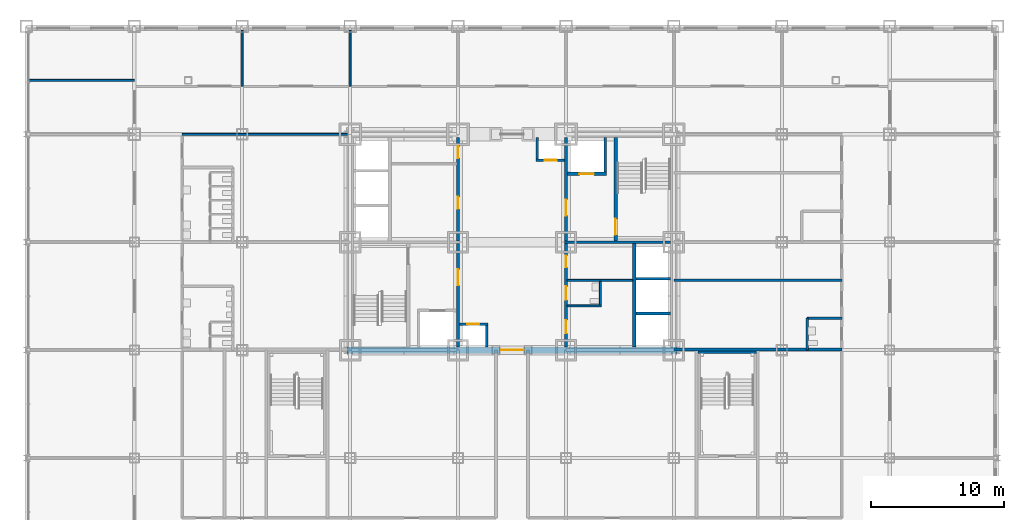
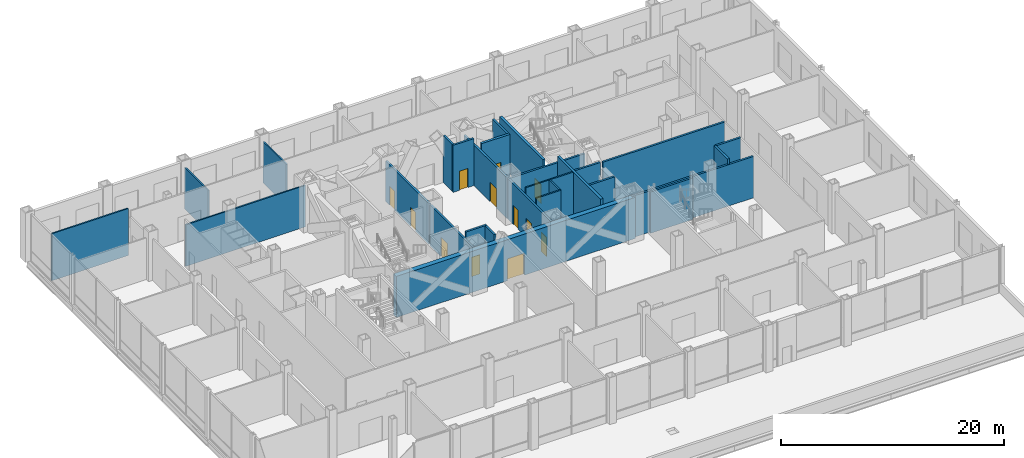
# One storey, part 23 of 29: 28 walls, 12 doors, 12 openings.
"""IFC4 building model written with IfcOpenShell, lengths in metres."""

from ifc_helpers import new_model, si_unit, direction, frame, frame_2d, origin, place, context, subcontext, project, spatial, rectangle, extrude, material, layer, layer_set, type_object, element, fill, save


model = new_model("IFC4")

# Units and contexts
model_context = context("Model", 3, precision=1e-05, world=origin(), true_north=direction((0.0, 1.0)))
body_context = subcontext(model_context, "Body", "Model", "MODEL_VIEW")
ifc_project = project(units=[si_unit("LENGTHUNIT", "METRE"), si_unit("AREAUNIT", "SQUARE_METRE"), si_unit("VOLUMEUNIT", "CUBIC_METRE"), si_unit("PLANEANGLEUNIT", "RADIAN"), si_unit("MASSUNIT", "GRAM", prefix="KILO")], contexts=[model_context])

# Site, building, storey
site_placement = place(None, origin())
site = spatial("IfcSite", under=ifc_project, at=site_placement, CompositionType="ELEMENT")
building_placement = place(site_placement, origin())
building = spatial("IfcBuilding", under=site, at=building_placement, Name="Kopane Lantern Tower", CompositionType="ELEMENT")
storey_placement = place(building_placement, frame((0.0, 0.0, 11.39990234375)))
storey = spatial("IfcBuildingStorey", under=building, at=storey_placement, Name="L02", CompositionType="ELEMENT", Elevation=11.39990234375)

# Wall, opening, door
ifc_material_1 = material(Name="Gypsum shaft wall EI 120", Category="gypsum")
ifc_layer_1 = layer(ifc_material_1, 0.5)
ifc_layer_set_1 = layer_set([ifc_layer_1], Name="CORE PERIMETER WALL 500 EI 120")
wall_type_1 = type_object("IfcWallType", Name="CORE PERIMETER WALL 500 EI 120", PredefinedType="SOLIDWALL", material=ifc_layer_set_1)
wall_1_placement = place(storey_placement, frame((15.949951171875, 24.300048828125, 0.0), z_axis=(0.0, 0.0, 1.0), x_axis=(1.0, 0.0, 0.0)))
wall_1 = element("IfcWall", 1, at=wall_1_placement, inside=storey, type_object=wall_type_1, Name="Core shaft wall L02 PS", PredefinedType="SOLIDWALL", context=body_context, shape_type="SweptSolid", body=[
    extrude(rectangle(XDim=24.800048828125, YDim=0.5, at=frame_2d((12.39990234375, 0.0))), origin(), (0.0, 0.0, 1.0), 4.5),
])
opening_1_placement = place(wall_1_placement, frame((11.5, 0.0, 0.0)))
opening_1 = element("IfcOpeningElement", 2, at=opening_1_placement, cuts=wall_1, Name="Opening 02.CE-S", PredefinedType="OPENING", context=body_context, shape_type="SweptSolid", body=[
    extrude(rectangle(XDim=1.800048828125, YDim=2.39990234375, at=frame_2d((0.89990234375, 1.199951171875))), frame((0.0, 0.260009765625, 0.0), z_axis=(0.0, -1.0, 0.0), x_axis=(1.0, 0.0, 0.0)), (0.0, 0.0, 1.0), 0.52001953125),
])
ifc_material_2 = material(Name="Steel door set", Category="steel")
door_type_1 = type_object("IfcDoorType", Name="CORE ENTRY DOOR 1800x2400 FD60S", OperationType="DOUBLE_DOOR_SINGLE_SWING", PredefinedType="DOOR", material=ifc_material_2)
door_1_placement = place(opening_1_placement, origin())
door_1 = element("IfcDoor", 3, at=door_1_placement, inside=storey, type_object=door_type_1, Name="Core entry door L02 south", OperationType="DOUBLE_DOOR_SINGLE_SWING", OverallHeight=2.39990234375, OverallWidth=1.800048828125, PredefinedType="DOOR", context=body_context, shape_type="SweptSolid", body=[
    extrude(rectangle(XDim=1.800048828125, YDim=2.39990234375, at=frame_2d((0.89990234375, 1.199951171875))), frame((0.0, 0.02490234375, 0.0), z_axis=(0.0, -1.0, 0.0), x_axis=(1.0, 0.0, 0.0)), (0.0, 0.0, 1.0), 0.050048828125),
])
fill(opening_1, door_1)

# Walls
ifc_material_3 = material(Name="Gypsum partition EI 60", Category="gypsum")
ifc_layer_2 = layer(ifc_material_3, 0.14990234375)
ifc_layer_set_2 = layer_set([ifc_layer_2], Name="CORE ROOM PARTITION 150 EI 60")
wall_type_2 = type_object("IfcWallType", Name="CORE ROOM PARTITION 150 EI 60", PredefinedType="PARTITIONING", material=ifc_layer_set_2)
wall_2_placement = place(storey_placement, frame((32.5, 27.625, 0.0), z_axis=(0.0, 0.0, 1.0), x_axis=(1.0, 0.0, 0.0)))
element("IfcWall", 4, at=wall_2_placement, inside=storey, type_object=wall_type_2, Name="Core room partition L02 E1", PredefinedType="PARTITIONING", context=body_context, shape_type="SweptSolid", body=[
    extrude(rectangle(XDim=2.550048828125, YDim=0.14990234375, at=frame_2d((1.27490234375, 0.0))), origin(), (0.0, 0.0, 1.0), 5.150146484375),
])
wall_3_placement = place(storey_placement, frame((32.5, 29.52490234375, 0.0), z_axis=(0.0, 0.0, 1.0), x_axis=(1.0, 0.0, 0.0)))
element("IfcWall", 5, at=wall_3_placement, inside=storey, type_object=wall_type_2, Name="Core room partition L02 E2", PredefinedType="PARTITIONING", context=body_context, shape_type="SweptSolid", body=[
    extrude(rectangle(XDim=4.89990234375, YDim=0.14990234375, at=frame_2d((2.449951171875, 0.0))), origin(), (0.0, 0.0, 1.0), 5.150146484375),
])
wall_4_placement = place(storey_placement, frame((34.97509765625, 27.699951171875, 0.0), z_axis=(0.0, 0.0, 1.0), x_axis=(0.0, 1.0, 0.0)))
element("IfcWall", 6, at=wall_4_placement, inside=storey, type_object=wall_type_2, Name="Core room partition L02 EB1", PredefinedType="PARTITIONING", context=body_context, shape_type="SweptSolid", body=[
    extrude(rectangle(XDim=1.75, YDim=0.14990234375, at=frame_2d((0.875, 0.0))), origin(), (0.0, 0.0, 1.0), 5.150146484375),
])

# Wall, openings, doors
ifc_material_4 = material(Name="Gypsum partition EI 60", Category="gypsum")
ifc_layer_3 = layer(ifc_material_4, 0.199951171875)
ifc_layer_set_3 = layer_set([ifc_layer_3], Name="CORE ROOM WALL 200 EI 60")
wall_type_3 = type_object("IfcWallType", Name="CORE ROOM WALL 200 EI 60", PredefinedType="PARTITIONING", material=ifc_layer_set_3)
wall_5_placement = place(storey_placement, frame((24.300048828125, 32.5, 0.0), z_axis=(0.0, 0.0, 1.0), x_axis=(0.0, 1.0, 0.0)))
wall_5 = element("IfcWall", 7, at=wall_5_placement, inside=storey, type_object=wall_type_3, Name="Core room wall L02 XW", PredefinedType="PARTITIONING", context=body_context, shape_type="SweptSolid", body=[
    extrude(rectangle(XDim=7.75, YDim=0.199951171875, at=frame_2d((3.875, 0.0))), origin(), (0.0, 0.0, 1.0), 4.4501953125),
])
opening_2_placement = place(wall_5_placement, frame((2.39990234375, 0.0, 0.0)))
opening_2 = element("IfcOpeningElement", 8, at=opening_2_placement, cuts=wall_5, Name="Opening 02.C30", PredefinedType="OPENING", context=body_context, shape_type="SweptSolid", body=[
    extrude(rectangle(XDim=0.89990234375, YDim=2.10009765625, at=frame_2d((0.449951171875, 1.050048828125))), frame((0.0, 0.10986328125, 0.0), z_axis=(0.0, -1.0, 0.0), x_axis=(1.0, 0.0, 0.0)), (0.0, 0.0, 1.0), 0.219970703125),
])
opening_3_placement = place(wall_5_placement, frame((6.199951171875, 0.0, 0.0)))
opening_3 = element("IfcOpeningElement", 9, at=opening_3_placement, cuts=wall_5, Name="Opening 02.C31", PredefinedType="OPENING", context=body_context, shape_type="SweptSolid", body=[
    extrude(rectangle(XDim=0.89990234375, YDim=2.10009765625, at=frame_2d((0.449951171875, 1.050048828125))), frame((0.0, 0.10986328125, 0.0), z_axis=(0.0, -1.0, 0.0), x_axis=(1.0, 0.0, 0.0)), (0.0, 0.0, 1.0), 0.219970703125),
])
ifc_material_5 = material(Name="Steel door set", Category="steel")
door_type_2 = type_object("IfcDoorType", Name="CORE ROOM DOOR 900x2100 FD60", OperationType="SINGLE_SWING_LEFT", PredefinedType="DOOR", material=ifc_material_5)
door_2_placement = place(opening_2_placement, origin())
door_2 = element("IfcDoor", 10, at=door_2_placement, inside=storey, type_object=door_type_2, Name="Door Retail store L02", OperationType="SINGLE_SWING_LEFT", OverallHeight=2.10009765625, OverallWidth=0.89990234375, PredefinedType="DOOR", context=body_context, shape_type="SweptSolid", body=[
    extrude(rectangle(XDim=0.89990234375, YDim=2.10009765625, at=frame_2d((0.449951171875, 1.050048828125))), frame((0.0, 0.02490234375, 0.0), z_axis=(0.0, -1.0, 0.0), x_axis=(1.0, 0.0, 0.0)), (0.0, 0.0, 1.0), 0.050048828125),
])
fill(opening_2, door_2)
door_3_placement = place(opening_3_placement, origin())
door_3 = element("IfcDoor", 11, at=door_3_placement, inside=storey, type_object=door_type_2, Name="Door Cleaner store L02", OperationType="SINGLE_SWING_LEFT", OverallHeight=2.10009765625, OverallWidth=0.89990234375, PredefinedType="DOOR", context=body_context, shape_type="SweptSolid", body=[
    extrude(rectangle(XDim=0.89990234375, YDim=2.10009765625, at=frame_2d((0.449951171875, 1.050048828125))), frame((0.0, 0.02490234375, 0.0), z_axis=(0.0, -1.0, 0.0), x_axis=(1.0, 0.0, 0.0)), (0.0, 0.0, 1.0), 0.050048828125),
])
fill(opening_3, door_3)

wall_6_placement = place(storey_placement, frame((32.39990234375, 24.550048828125, 0.0), z_axis=(0.0, 0.0, 1.0), x_axis=(0.0, 1.0, 0.0)))
wall_6 = element("IfcWall", 12, at=wall_6_placement, inside=storey, type_object=wall_type_3, Name="Core room wall L02 XE", PredefinedType="PARTITIONING", context=body_context, shape_type="SweptSolid", body=[
    extrude(rectangle(XDim=7.75, YDim=0.199951171875, at=frame_2d((3.875, 0.0))), origin(), (0.0, 0.0, 1.0), 4.4501953125),
])
opening_4_placement = place(wall_6_placement, frame((1.0, 0.0, 0.0)))
opening_4 = element("IfcOpeningElement", 13, at=opening_4_placement, cuts=wall_6, Name="Opening 02.C20", PredefinedType="OPENING", context=body_context, shape_type="SweptSolid", body=[
    extrude(rectangle(XDim=1.0, YDim=2.10009765625, at=frame_2d((0.5, 1.050048828125))), frame((0.0, 0.10986328125, 0.0), z_axis=(0.0, -1.0, 0.0), x_axis=(1.0, 0.0, 0.0)), (0.0, 0.0, 1.0), 0.219970703125),
])
opening_5_placement = place(wall_6_placement, frame((3.52490234375, 0.0, 0.0)))
opening_5 = element("IfcOpeningElement", 14, at=opening_5_placement, cuts=wall_6, Name="Opening 02.C21", PredefinedType="OPENING", context=body_context, shape_type="SweptSolid", body=[
    extrude(rectangle(XDim=1.0, YDim=2.10009765625, at=frame_2d((0.5, 1.050048828125))), frame((0.0, 0.10986328125, 0.0), z_axis=(0.0, -1.0, 0.0), x_axis=(1.0, 0.0, 0.0)), (0.0, 0.0, 1.0), 0.219970703125),
])
opening_6_placement = place(wall_6_placement, frame((5.949951171875, 0.0, 0.0)))
opening_6 = element("IfcOpeningElement", 15, at=opening_6_placement, cuts=wall_6, Name="Opening 02.C22", PredefinedType="OPENING", context=body_context, shape_type="SweptSolid", body=[
    extrude(rectangle(XDim=0.89990234375, YDim=2.10009765625, at=frame_2d((0.449951171875, 1.050048828125))), frame((0.0, 0.10986328125, 0.0), z_axis=(0.0, -1.0, 0.0), x_axis=(1.0, 0.0, 0.0)), (0.0, 0.0, 1.0), 0.219970703125),
])
ifc_material_6 = material(Name="Steel door set", Category="steel")
door_type_3 = type_object("IfcDoorType", Name="CORE ROOM DOOR 1000x2100 FD30S", OperationType="SINGLE_SWING_RIGHT", PredefinedType="DOOR", material=ifc_material_6)
door_4_placement = place(opening_4_placement, origin())
door_4 = element("IfcDoor", 16, at=door_4_placement, inside=storey, type_object=door_type_3, Name="Door Staff room L02", OperationType="SINGLE_SWING_LEFT", OverallHeight=2.10009765625, OverallWidth=1.0, PredefinedType="DOOR", context=body_context, shape_type="SweptSolid", body=[
    extrude(rectangle(XDim=1.0, YDim=2.10009765625, at=frame_2d((0.5, 1.050048828125))), frame((0.0, 0.02490234375, 0.0), z_axis=(0.0, -1.0, 0.0), x_axis=(1.0, 0.0, 0.0)), (0.0, 0.0, 1.0), 0.050048828125),
])
fill(opening_4, door_4)
door_5_placement = place(opening_5_placement, origin())
door_5 = element("IfcDoor", 17, at=door_5_placement, inside=storey, type_object=door_type_3, Name="Door Staff WC L02", OperationType="SINGLE_SWING_LEFT", OverallHeight=2.10009765625, OverallWidth=1.0, PredefinedType="DOOR", context=body_context, shape_type="SweptSolid", body=[
    extrude(rectangle(XDim=1.0, YDim=2.10009765625, at=frame_2d((0.5, 1.050048828125))), frame((0.0, 0.02490234375, 0.0), z_axis=(0.0, -1.0, 0.0), x_axis=(1.0, 0.0, 0.0)), (0.0, 0.0, 1.0), 0.050048828125),
])
fill(opening_5, door_5)
door_6_placement = place(opening_6_placement, origin())
door_6 = element("IfcDoor", 18, at=door_6_placement, inside=storey, type_object=door_type_2, Name="Door Retail store L02", OperationType="SINGLE_SWING_RIGHT", OverallHeight=2.10009765625, OverallWidth=0.89990234375, PredefinedType="DOOR", context=body_context, shape_type="SweptSolid", body=[
    extrude(rectangle(XDim=0.89990234375, YDim=2.10009765625, at=frame_2d((0.449951171875, 1.050048828125))), frame((0.0, 0.02490234375, 0.0), z_axis=(0.0, -1.0, 0.0), x_axis=(1.0, 0.0, 0.0)), (0.0, 0.0, 1.0), 0.050048828125),
])
fill(opening_6, door_6)

# Wall
ifc_material_7 = material(Name="Gypsum shaft wall EI 120", Category="gypsum")
ifc_layer_4 = layer(ifc_material_7, 0.25)
ifc_layer_set_4 = layer_set([ifc_layer_4], Name="CORE SHAFT WALL 250 EI 120")
wall_type_4 = type_object("IfcWallType", Name="CORE SHAFT WALL 250 EI 120", PredefinedType="SOLIDWALL", material=ifc_layer_set_4)
wall_7_placement = place(storey_placement, frame((37.52490234375, 24.550048828125, 0.0), z_axis=(0.0, 0.0, 1.0), x_axis=(0.0, 1.0, 0.0)))
element("IfcWall", 19, at=wall_7_placement, inside=storey, type_object=wall_type_4, Name="Core shaft wall L02 XLR", PredefinedType="SOLIDWALL", context=body_context, shape_type="SweptSolid", body=[
    extrude(rectangle(XDim=7.75, YDim=0.25, at=frame_2d((3.875, 0.0))), origin(), (0.0, 0.0, 1.0), 5.150146484375),
])

# Wall, opening, door
wall_8_placement = place(storey_placement, frame((36.125, 32.5, 0.0), z_axis=(0.0, 0.0, 1.0), x_axis=(0.0, 1.0, 0.0)))
wall_8 = element("IfcWall", 20, at=wall_8_placement, inside=storey, type_object=wall_type_4, Name="Core shaft wall L02 XST2", PredefinedType="SOLIDWALL", context=body_context, shape_type="SweptSolid", body=[
    extrude(rectangle(XDim=7.75, YDim=0.25, at=frame_2d((3.875, 0.0))), origin(), (0.0, 0.0, 1.0), 5.150146484375),
])
opening_7_placement = place(wall_8_placement, frame((0.449951171875, 0.0, 0.0)))
opening_7 = element("IfcOpeningElement", 21, at=opening_7_placement, cuts=wall_8, Name="Opening 02.SD2", PredefinedType="OPENING", context=body_context, shape_type="SweptSolid", body=[
    extrude(rectangle(XDim=1.199951171875, YDim=2.10009765625, at=frame_2d((0.60009765625, 1.050048828125))), frame((0.0, 0.135009765625, 0.0), z_axis=(0.0, -1.0, 0.0), x_axis=(1.0, 0.0, 0.0)), (0.0, 0.0, 1.0), 0.27001953125),
])
ifc_material_8 = material(Name="Steel door set", Category="steel")
door_type_4 = type_object("IfcDoorType", Name="STAIR DOOR 1200x2100 FD60S", OperationType="SINGLE_SWING_LEFT", PredefinedType="DOOR", material=ifc_material_8)
door_7_placement = place(opening_7_placement, origin())
door_7 = element("IfcDoor", 22, at=door_7_placement, inside=storey, type_object=door_type_4, Name="Stair door ST2 L02", OperationType="SINGLE_SWING_RIGHT", OverallHeight=2.10009765625, OverallWidth=1.199951171875, PredefinedType="DOOR", context=body_context, shape_type="SweptSolid", body=[
    extrude(rectangle(XDim=1.199951171875, YDim=2.10009765625, at=frame_2d((0.60009765625, 1.050048828125))), frame((0.0, 0.02490234375, 0.0), z_axis=(0.0, -1.0, 0.0), x_axis=(1.0, 0.0, 0.0)), (0.0, 0.0, 1.0), 0.050048828125),
])
fill(opening_7, door_7)

wall_9_placement = place(storey_placement, frame((32.5, 37.52490234375, 0.0), z_axis=(0.0, 0.0, 1.0), x_axis=(1.0, 0.0, 0.0)))
wall_9 = element("IfcWall", 23, at=wall_9_placement, inside=storey, type_object=wall_type_4, Name="Core shaft wall L02 YLF2", PredefinedType="SOLIDWALL", context=body_context, shape_type="SweptSolid", body=[
    extrude(rectangle(XDim=2.949951171875, YDim=0.25, at=frame_2d((1.47509765625, 0.0))), origin(), (0.0, 0.0, 1.0), 5.150146484375),
])
opening_8_placement = place(wall_9_placement, frame((0.89990234375, 0.0, 0.0)))
opening_8 = element("IfcOpeningElement", 24, at=opening_8_placement, cuts=wall_9, Name="Opening 02.LD-LF2", PredefinedType="OPENING", context=body_context, shape_type="SweptSolid", body=[
    extrude(rectangle(XDim=1.10009765625, YDim=2.39990234375, at=frame_2d((0.550048828125, 1.199951171875))), frame((0.0, 0.135009765625, 0.0), z_axis=(0.0, -1.0, 0.0), x_axis=(1.0, 0.0, 0.0)), (0.0, 0.0, 1.0), 0.27001953125),
])
ifc_material_9 = material(Name="Steel door set", Category="steel")
door_type_5 = type_object("IfcDoorType", Name="LIFT LANDING DOOR 1100x2400 FD60", OperationType="DOUBLE_DOOR_SLIDING", PredefinedType="DOOR", material=ifc_material_9)
door_8_placement = place(opening_8_placement, origin())
door_8 = element("IfcDoor", 25, at=door_8_placement, inside=storey, type_object=door_type_5, Name="Landing door LF2 L02", OperationType="DOUBLE_DOOR_SLIDING", OverallHeight=2.39990234375, OverallWidth=1.10009765625, PredefinedType="DOOR", context=body_context, shape_type="SweptSolid", body=[
    extrude(rectangle(XDim=1.10009765625, YDim=2.39990234375, at=frame_2d((0.550048828125, 1.199951171875))), frame((0.0, 0.02490234375, 0.0), z_axis=(0.0, -1.0, 0.0), x_axis=(1.0, 0.0, 0.0)), (0.0, 0.0, 1.0), 0.050048828125),
])
fill(opening_8, door_8)

# Walls
ifc_material_10 = material(Name="Gypsum board on steel studs", Category="steel")
ifc_layer_5 = layer(ifc_material_10, 0.14990234375)
ifc_layer_set_5 = layer_set([ifc_layer_5], Name="CORRIDOR WALL 150 EI 60")
wall_type_5 = type_object("IfcWallType", Name="CORRIDOR WALL 150 EI 60", PredefinedType="PARTITIONING", material=ifc_layer_set_5)
wall_10_placement = place(storey_placement, frame((16.0, 40.5, 0.0), z_axis=(0.0, 0.0, 1.0), x_axis=(-1.0, 0.0, 0.0)))
element("IfcWall", 26, at=wall_10_placement, inside=storey, type_object=wall_type_5, Name="Corridor Wall 150 Ei 60 L02", PredefinedType="PARTITIONING", context=body_context, shape_type="SweptSolid", body=[
    extrude(rectangle(XDim=12.39990234375, YDim=0.14990234375, at=frame_2d((6.199951171875, 0.0))), origin(), (0.0, 0.0, 1.0), 4.537841796875),
])
ifc_material_11 = material(Name="Gypsum board on steel studs", Category="steel")
ifc_layer_6 = layer(ifc_material_11, 0.14990234375)
ifc_layer_set_6 = layer_set([ifc_layer_6], Name="DEMISING WALL 150 EI 60")
wall_type_6 = type_object("IfcWallType", Name="DEMISING WALL 150 EI 60", PredefinedType="PARTITIONING", material=ifc_layer_set_6)
wall_11_placement = place(storey_placement, frame((16.199951171875, 44.10009765625, 0.0), z_axis=(0.0, 0.0, 1.0), x_axis=(0.0, 1.0, 0.0)))
element("IfcWall", 27, at=wall_11_placement, inside=storey, type_object=wall_type_6, Name="Demising Wall 150 Ei 60 L02", PredefinedType="PARTITIONING", context=body_context, shape_type="SweptSolid", body=[
    extrude(rectangle(XDim=4.199951171875, YDim=0.14990234375, at=frame_2d((2.10009765625, 0.0))), origin(), (0.0, 0.0, 1.0), 4.537841796875),
])
wall_12_placement = place(storey_placement, frame((-7.931884765625, 44.550048828125, 0.0), z_axis=(0.0, 0.0, 1.0), x_axis=(1.0, 0.0, 0.0)))
element("IfcWall", 28, at=wall_12_placement, inside=storey, type_object=wall_type_6, Name="Demising Wall 150 Ei 60 L02", PredefinedType="PARTITIONING", context=body_context, shape_type="SweptSolid", body=[
    extrude(rectangle(XDim=7.931884765625, YDim=0.14990234375, at=frame_2d((3.9658203125, 0.0))), origin(), (0.0, 0.0, 1.0), 5.150146484375),
])
wall_13_placement = place(storey_placement, frame((8.10009765625, 44.10009765625, 0.0), z_axis=(0.0, 0.0, 1.0), x_axis=(0.0, 1.0, 0.0)))
element("IfcWall", 29, at=wall_13_placement, inside=storey, type_object=wall_type_6, Name="Demising Wall 150 Ei 60 L02", PredefinedType="PARTITIONING", context=body_context, shape_type="SweptSolid", body=[
    extrude(rectangle(XDim=4.199951171875, YDim=0.14990234375, at=frame_2d((2.10009765625, 0.0))), origin(), (0.0, 0.0, 1.0), 4.537841796875),
])
ifc_material_12 = material(Name="Concrete masonry", Category="masonry")
ifc_layer_7 = layer(ifc_material_12, 0.199951171875)
ifc_layer_set_7 = layer_set([ifc_layer_7], Name="PLANT ROOM WALL 200 EI 120")
wall_type_7 = type_object("IfcWallType", Name="PLANT ROOM WALL 200 EI 120", PredefinedType="SOLIDWALL", material=ifc_layer_set_7)
wall_14_placement = place(storey_placement, frame((53.10009765625, 26.699951171875, 0.0), z_axis=(0.0, 0.0, 1.0), x_axis=(-1.0, 0.0, 0.0)))
element("IfcWall", 30, at=wall_14_placement, inside=storey, type_object=wall_type_7, Name="Plant Room Wall 200 Ei 120 L02", PredefinedType="SOLIDWALL", context=body_context, shape_type="SweptSolid", body=[
    extrude(rectangle(XDim=2.60009765625, YDim=0.199951171875, at=frame_2d((1.300048828125, 0.0))), origin(), (0.0, 0.0, 1.0), 5.150146484375),
])
wall_15_placement = place(storey_placement, frame((50.5, 24.300048828125, 0.0), z_axis=(0.0, 0.0, 1.0), x_axis=(0.0, 1.0, 0.0)))
element("IfcWall", 31, at=wall_15_placement, inside=storey, type_object=wall_type_7, Name="Plant Room Wall 200 Ei 120 L02", PredefinedType="SOLIDWALL", context=body_context, shape_type="SweptSolid", body=[
    extrude(rectangle(XDim=2.39990234375, YDim=0.199951171875, at=frame_2d((1.199951171875, 0.0))), origin(), (0.0, 0.0, 1.0), 5.150146484375),
])
wall_16_placement = place(storey_placement, frame((53.10009765625, 29.550048828125, 0.0), z_axis=(0.0, 0.0, 1.0), x_axis=(-1.0, 0.0, 0.0)))
element("IfcWall", 32, at=wall_16_placement, inside=storey, type_object=wall_type_7, Name="Plant Room Wall 200 Ei 120 L02", PredefinedType="SOLIDWALL", context=body_context, shape_type="SweptSolid", body=[
    extrude(rectangle(XDim=12.60009765625, YDim=0.199951171875, at=frame_2d((6.300048828125, 0.0))), origin(), (0.0, 0.0, 1.0), 5.150146484375),
])
wall_17_placement = place(storey_placement, frame((40.5, 24.35009765625, 0.0), z_axis=(0.0, 0.0, 1.0), x_axis=(1.0, 0.0, 0.0)))
element("IfcWall", 33, at=wall_17_placement, inside=storey, type_object=wall_type_7, Name="Plant Room Wall 200 Ei 120 L02", PredefinedType="SOLIDWALL", context=body_context, shape_type="SweptSolid", body=[
    extrude(rectangle(XDim=12.60009765625, YDim=0.199951171875, at=frame_2d((6.300048828125, 0.0))), origin(), (0.0, 0.0, 1.0), 4.537841796875),
])

# Wall, opening, door
ifc_material_13 = material(Name="Gypsum shaft wall EI 120", Category="gypsum")
ifc_layer_8 = layer(ifc_material_13, 0.199951171875)
ifc_layer_set_8 = layer_set([ifc_layer_8], Name="SHAFT WALL 200 EI 120")
wall_type_8 = type_object("IfcWallType", Name="SHAFT WALL 200 EI 120", PredefinedType="SOLIDWALL", material=ifc_layer_set_8)
wall_18_placement = place(storey_placement, frame((24.300048828125, 24.550048828125, 0.0), z_axis=(0.0, 0.0, 1.0), x_axis=(0.0, 1.0, 0.0)))
wall_18 = element("IfcWall", 34, at=wall_18_placement, inside=storey, type_object=wall_type_8, Name="Core shaft wall L02 X243", PredefinedType="SOLIDWALL", context=body_context, shape_type="SweptSolid", body=[
    extrude(rectangle(XDim=7.75, YDim=0.199951171875, at=frame_2d((3.875, 0.0))), origin(), (0.0, 0.0, 1.0), 4.4501953125),
])
opening_9_placement = place(wall_18_placement, frame((4.60009765625, 0.0, 0.0)))
opening_9 = element("IfcOpeningElement", 35, at=opening_9_placement, cuts=wall_18, Name="Opening 02.FL1", PredefinedType="OPENING", context=body_context, shape_type="SweptSolid", body=[
    extrude(rectangle(XDim=1.199951171875, YDim=2.10009765625, at=frame_2d((0.60009765625, 1.050048828125))), frame((0.0, 0.10986328125, 0.0), z_axis=(0.0, -1.0, 0.0), x_axis=(1.0, 0.0, 0.0)), (0.0, 0.0, 1.0), 0.219970703125),
])
ifc_material_14 = material(Name="Steel door set", Category="steel")
door_type_6 = type_object("IfcDoorType", Name="FIREFIGHTING LOBBY DOOR 1200x2100 FD60S", OperationType="SINGLE_SWING_RIGHT", PredefinedType="DOOR", material=ifc_material_14)
door_9_placement = place(opening_9_placement, origin())
door_9 = element("IfcDoor", 36, at=door_9_placement, inside=storey, type_object=door_type_6, Name="Firefighting lobby door FL1 L02", OperationType="SINGLE_SWING_LEFT", OverallHeight=2.10009765625, OverallWidth=1.199951171875, PredefinedType="DOOR", context=body_context, shape_type="SweptSolid", body=[
    extrude(rectangle(XDim=1.199951171875, YDim=2.10009765625, at=frame_2d((0.60009765625, 1.050048828125))), frame((0.0, 0.02490234375, 0.0), z_axis=(0.0, -1.0, 0.0), x_axis=(1.0, 0.0, 0.0)), (0.0, 0.0, 1.0), 0.050048828125),
])
fill(opening_9, door_9)

# Wall
wall_19_placement = place(storey_placement, frame((26.449951171875, 24.550048828125, 0.0), z_axis=(0.0, 0.0, 1.0), x_axis=(0.0, 1.0, 0.0)))
element("IfcWall", 37, at=wall_19_placement, inside=storey, type_object=wall_type_8, Name="Core shaft wall L02 XRS1", PredefinedType="SOLIDWALL", context=body_context, shape_type="SweptSolid", body=[
    extrude(rectangle(XDim=1.599853515625, YDim=0.199951171875, at=frame_2d((0.7998046875, 0.0))), origin(), (0.0, 0.0, 1.0), 5.150146484375),
])

# Wall, opening, door
wall_20_placement = place(storey_placement, frame((24.39990234375, 26.25, 0.0), z_axis=(0.0, 0.0, 1.0), x_axis=(1.0, 0.0, 0.0)))
wall_20 = element("IfcWall", 38, at=wall_20_placement, inside=storey, type_object=wall_type_8, Name="Core shaft wall L02 YRS1", PredefinedType="SOLIDWALL", context=body_context, shape_type="SweptSolid", body=[
    extrude(rectangle(XDim=2.150146484375, YDim=0.199951171875, at=frame_2d((1.0751953125, 0.0))), origin(), (0.0, 0.0, 1.0), 5.150146484375),
])
opening_10_placement = place(wall_20_placement, frame((0.60009765625, 0.0, 0.0)))
opening_10 = element("IfcOpeningElement", 39, at=opening_10_placement, cuts=wall_20, Name="Opening 02.RS1", PredefinedType="OPENING", context=body_context, shape_type="SweptSolid", body=[
    extrude(rectangle(XDim=0.89990234375, YDim=2.10009765625, at=frame_2d((0.449951171875, 1.050048828125))), frame((0.0, 0.10986328125, 0.0), z_axis=(0.0, -1.0, 0.0), x_axis=(1.0, 0.0, 0.0)), (0.0, 0.0, 1.0), 0.219970703125),
])
ifc_material_15 = material(Name="Steel door set", Category="steel")
door_type_7 = type_object("IfcDoorType", Name="RISER ACCESS DOOR 900x2100 FD60", OperationType="SINGLE_SWING_LEFT", PredefinedType="DOOR", material=ifc_material_15)
door_10_placement = place(opening_10_placement, origin())
door_10 = element("IfcDoor", 40, at=door_10_placement, inside=storey, type_object=door_type_7, Name="Riser access door RS1 L02", OperationType="SINGLE_SWING_LEFT", OverallHeight=2.10009765625, OverallWidth=0.89990234375, PredefinedType="DOOR", context=body_context, shape_type="SweptSolid", body=[
    extrude(rectangle(XDim=0.89990234375, YDim=2.10009765625, at=frame_2d((0.449951171875, 1.050048828125))), frame((0.0, 0.02490234375, 0.0), z_axis=(0.0, -1.0, 0.0), x_axis=(1.0, 0.0, 0.0)), (0.0, 0.0, 1.0), 0.050048828125),
])
fill(opening_10, door_10)

# Wall
wall_21_placement = place(storey_placement, frame((32.300048828125, 32.39990234375, 0.0), z_axis=(0.0, 0.0, 1.0), x_axis=(1.0, 0.0, 0.0)))
element("IfcWall", 41, at=wall_21_placement, inside=storey, type_object=wall_type_8, Name="Core shaft wall L02 Y324E", PredefinedType="SOLIDWALL", context=body_context, shape_type="SweptSolid", body=[
    extrude(rectangle(XDim=7.949951171875, YDim=0.199951171875, at=frame_2d((3.97509765625, 0.0))), origin(), (0.0, 0.0, 1.0), 4.4501953125),
])

# Wall, opening, door
wall_22_placement = place(storey_placement, frame((32.39990234375, 32.5, 0.0), z_axis=(0.0, 0.0, 1.0), x_axis=(0.0, 1.0, 0.0)))
wall_22 = element("IfcWall", 42, at=wall_22_placement, inside=storey, type_object=wall_type_8, Name="Core shaft wall L02 X324", PredefinedType="SOLIDWALL", context=body_context, shape_type="SweptSolid", body=[
    extrude(rectangle(XDim=7.75, YDim=0.199951171875, at=frame_2d((3.875, 0.0))), origin(), (0.0, 0.0, 1.0), 4.4501953125),
])
opening_11_placement = place(wall_22_placement, frame((1.89990234375, 0.0, 0.0)))
opening_11 = element("IfcOpeningElement", 43, at=opening_11_placement, cuts=wall_22, Name="Opening 02.FL2", PredefinedType="OPENING", context=body_context, shape_type="SweptSolid", body=[
    extrude(rectangle(XDim=1.199951171875, YDim=2.10009765625, at=frame_2d((0.60009765625, 1.050048828125))), frame((0.0, 0.10986328125, 0.0), z_axis=(0.0, -1.0, 0.0), x_axis=(1.0, 0.0, 0.0)), (0.0, 0.0, 1.0), 0.219970703125),
])
door_11_placement = place(opening_11_placement, origin())
door_11 = element("IfcDoor", 44, at=door_11_placement, inside=storey, type_object=door_type_6, Name="Firefighting lobby door FL2 L02", OperationType="SINGLE_SWING_LEFT", OverallHeight=2.10009765625, OverallWidth=1.199951171875, PredefinedType="DOOR", context=body_context, shape_type="SweptSolid", body=[
    extrude(rectangle(XDim=1.199951171875, YDim=2.10009765625, at=frame_2d((0.60009765625, 1.050048828125))), frame((0.0, 0.02490234375, 0.0), z_axis=(0.0, -1.0, 0.0), x_axis=(1.0, 0.0, 0.0)), (0.0, 0.0, 1.0), 0.050048828125),
])
fill(opening_11, door_11)

# Walls
for number, where, z_axis, x_axis, name in (
    (45, (37.64990234375, 27.050048828125, 0.0), (0.0, 0.0, 1.0), (1.0, 0.0, 0.0), "Core shaft wall L02 YLR12"),
    (46, (37.64990234375, 29.64990234375, 0.0), (0.0, 0.0, 1.0), (1.0, 0.0, 0.0), "Core shaft wall L02 YLR23"),
    (47, (35.35009765625, 37.64990234375, 0.0), (0.0, 0.0, 1.0), (0.0, 1.0, 0.0), "Core shaft wall L02 XLF2"),
):
    element("IfcWall", number, at=place(storey_placement, frame(where, z_axis=z_axis, x_axis=x_axis)), inside=storey, type_object=wall_type_8, Name=name, PredefinedType="SOLIDWALL", context=body_context, shape_type="SweptSolid", body=[
        extrude(rectangle(XDim=2.60009765625, YDim=0.199951171875, at=frame_2d((1.300048828125, 0.0))), origin(), (0.0, 0.0, 1.0), 5.150146484375),
    ])
wall_23_placement = place(storey_placement, frame((30.25, 38.64990234375, 0.0), z_axis=(0.0, 0.0, 1.0), x_axis=(0.0, 1.0, 0.0)))
element("IfcWall", 48, at=wall_23_placement, inside=storey, type_object=wall_type_8, Name="Core shaft wall L02 XRS2", PredefinedType="SOLIDWALL", context=body_context, shape_type="SweptSolid", body=[
    extrude(rectangle(XDim=1.60009765625, YDim=0.199951171875, at=frame_2d((0.800048828125, 0.0))), origin(), (0.0, 0.0, 1.0), 5.150146484375),
])

# Wall, opening, door
wall_24_placement = place(storey_placement, frame((30.14990234375, 38.550048828125, 0.0), z_axis=(0.0, 0.0, 1.0), x_axis=(1.0, 0.0, 0.0)))
wall_24 = element("IfcWall", 49, at=wall_24_placement, inside=storey, type_object=wall_type_8, Name="Core shaft wall L02 YRS2", PredefinedType="SOLIDWALL", context=body_context, shape_type="SweptSolid", body=[
    extrude(rectangle(XDim=2.150146484375, YDim=0.199951171875, at=frame_2d((1.0751953125, 0.0))), origin(), (0.0, 0.0, 1.0), 5.150146484375),
])
opening_12_placement = place(wall_24_placement, frame((0.64990234375, 0.0, 0.0)))
opening_12 = element("IfcOpeningElement", 50, at=opening_12_placement, cuts=wall_24, Name="Opening 02.RS2", PredefinedType="OPENING", context=body_context, shape_type="SweptSolid", body=[
    extrude(rectangle(XDim=0.89990234375, YDim=2.10009765625, at=frame_2d((0.449951171875, 1.050048828125))), frame((0.0, 0.10986328125, 0.0), z_axis=(0.0, -1.0, 0.0), x_axis=(1.0, 0.0, 0.0)), (0.0, 0.0, 1.0), 0.219970703125),
])
door_12_placement = place(opening_12_placement, origin())
door_12 = element("IfcDoor", 51, at=door_12_placement, inside=storey, type_object=door_type_7, Name="Riser access door RS2 L02", OperationType="SINGLE_SWING_LEFT", OverallHeight=2.10009765625, OverallWidth=0.89990234375, PredefinedType="DOOR", context=body_context, shape_type="SweptSolid", body=[
    extrude(rectangle(XDim=0.89990234375, YDim=2.10009765625, at=frame_2d((0.449951171875, 1.050048828125))), frame((0.0, 0.02490234375, 0.0), z_axis=(0.0, -1.0, 0.0), x_axis=(1.0, 0.0, 0.0)), (0.0, 0.0, 1.0), 0.050048828125),
])
fill(opening_12, door_12)

# Wall
wall_25_placement = place(storey_placement, frame((42.300048828125, 24.14990234375, 0.0), z_axis=(0.0, 0.0, 1.0), x_axis=(1.0, 0.0, 0.0)))
element("IfcWall", 52, at=wall_25_placement, inside=storey, type_object=wall_type_8, Name="Stair enclosure wall ST4 L02", PredefinedType="SOLIDWALL", context=body_context, shape_type="SweptSolid", body=[
    extrude(rectangle(XDim=4.39990234375, YDim=0.199951171875, at=frame_2d((2.199951171875, 0.0))), origin(), (0.0, 0.0, 1.0), 4.537841796875),
])

save(model, "model.ifc")
